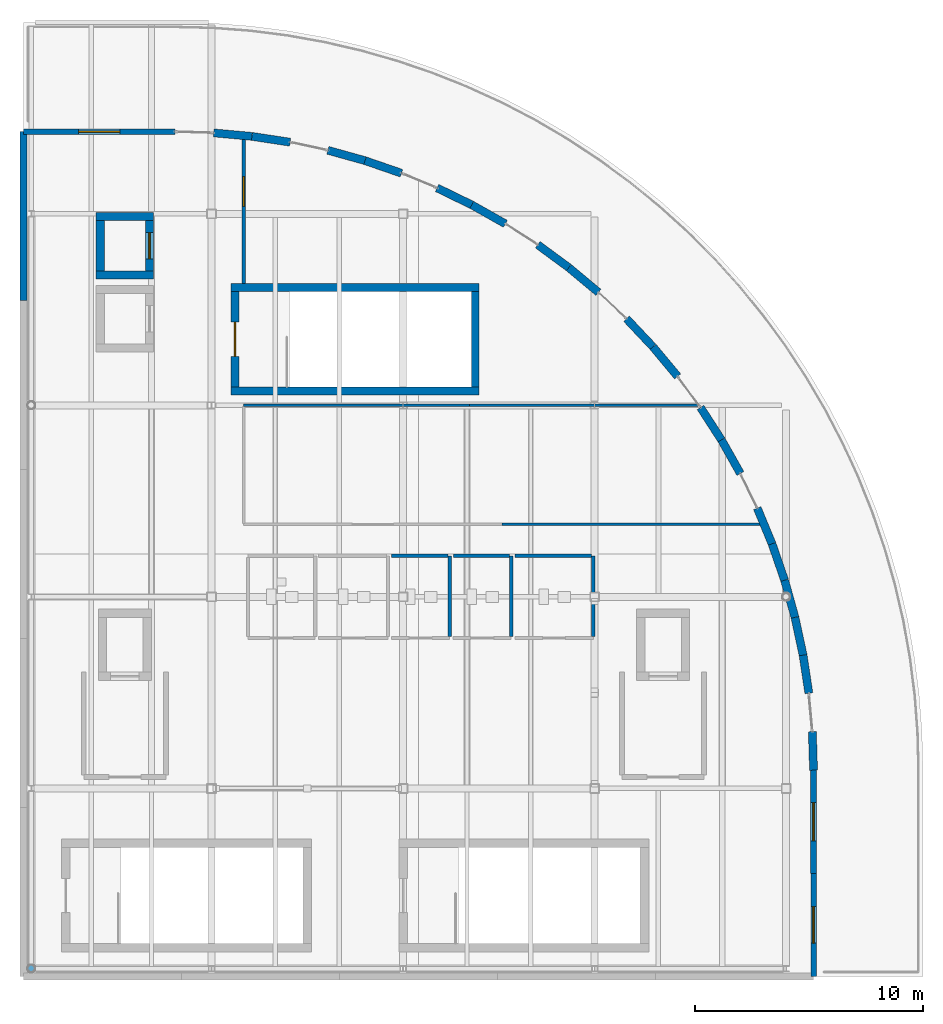
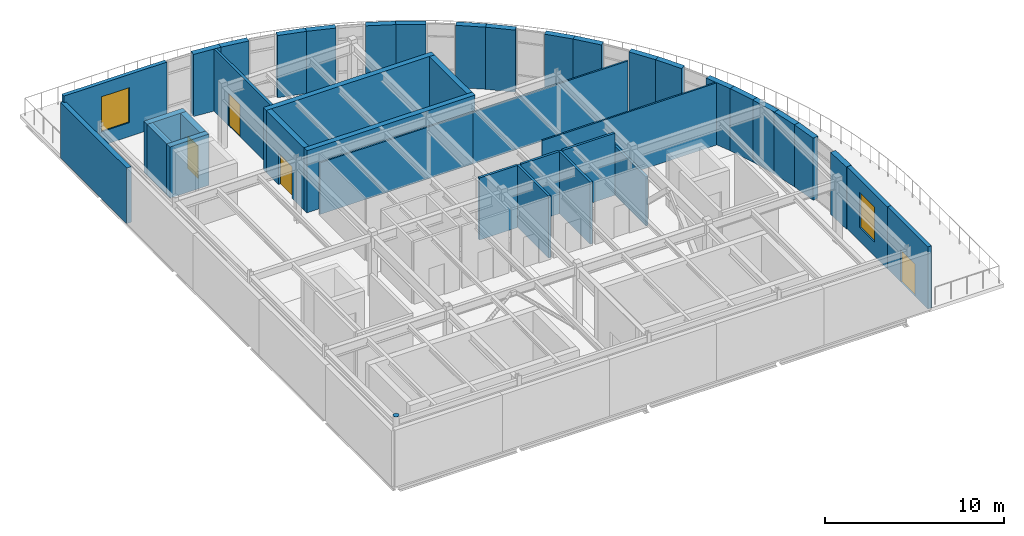
# One storey, part 19 of 26: 40 walls, 4 doors, 2 windows, 1 discrete accessory, 6 openings.
"""IFC4 building model written with IfcOpenShell, lengths in metres."""

from ifc_helpers import new_model, si_unit, direction, frame, frame_2d, origin, origin_2d, place, context, subcontext, project, spatial, rectangle, circle, extrude, material, layer, layer_set, type_object, element, fill, save


model = new_model("IFC4")

# Units and contexts
model_context = context("Model", 3, precision=1e-05, world=origin(), true_north=direction((0.0, 1.0)))
body_context = subcontext(model_context, "Body", "Model", "MODEL_VIEW")
ifc_project = project(units=[si_unit("LENGTHUNIT", "METRE"), si_unit("AREAUNIT", "SQUARE_METRE"), si_unit("VOLUMEUNIT", "CUBIC_METRE"), si_unit("PLANEANGLEUNIT", "RADIAN"), si_unit("MASSUNIT", "GRAM", prefix="KILO"), si_unit("THERMODYNAMICTEMPERATUREUNIT", "KELVIN")], contexts=[model_context])

# Site, building, storey
site_placement = place(None, origin())
site = spatial("IfcSite", under=ifc_project, at=site_placement, CompositionType="ELEMENT")
building_placement = place(site_placement, origin())
building = spatial("IfcBuilding", under=site, at=building_placement, Name="Lustrewick Department Store", CompositionType="ELEMENT")
storey_placement = place(building_placement, frame((0.0, 0.0, 36.300048828125)))
storey = spatial("IfcBuildingStorey", under=building, at=storey_placement, Name="L08", CompositionType="ELEMENT", Elevation=36.300048828125)

# Wall, opening, door
ifc_material_1 = material(Name="Precast concrete C40", Category="concrete")
ifc_layer_1 = layer(ifc_material_1, 0.239990234375, Name="Precast concrete C40")
ifc_layer_set_1 = layer_set([ifc_layer_1], Name="Precast concrete C40")
wall_type_1 = type_object("IfcWallType", Name="EW01", PredefinedType="STANDARD", material=ifc_layer_set_1)
wall_1_placement = place(storey_placement, frame((144.0, 50.550048828125, 0.0), z_axis=(0.0, 0.0, 1.0), x_axis=(0.0, 1.0, 0.0)))
wall_1 = element("IfcWall", 1, at=wall_1_placement, inside=storey, type_object=wall_type_1, Name="L08 V4 Exterior Wall EW01", PredefinedType="STANDARD", context=body_context, shape_type="SweptSolid", body=[
    extrude(rectangle(XDim=4.52490234375, YDim=0.239990234375, at=frame_2d((2.262451171875, 0.0))), origin(), (0.0, 0.0, 1.0), 4.244873046875),
])
opening_1_placement = place(wall_1_placement, frame((1.46240234375, 0.0, 0.0)))
opening_1 = element("IfcOpeningElement", 2, at=opening_1_placement, cuts=wall_1, Name="Opening D-TR09", PredefinedType="OPENING", context=body_context, shape_type="SweptSolid", body=[
    extrude(rectangle(XDim=1.60009765625, YDim=2.199951171875, at=frame_2d((0.800048828125, 1.10009765625))), frame((0.0, 0.1298828125, 0.0), z_axis=(0.0, -1.0, 0.0), x_axis=(1.0, 0.0, 0.0)), (0.0, 0.0, 1.0), 0.260009765625),
])
ifc_material_2 = material(Name="Steel fire-rated terrace exit door EI 60", Category="steel")
door_type_1 = type_object("IfcDoorType", Name="DT-03", OperationType="NOTDEFINED", PredefinedType="DOOR", material=ifc_material_2)
door_1_placement = place(opening_1_placement, frame((1.60009765625, 0.0, 0.0), z_axis=(0.0, 0.0, 1.0), x_axis=(-1.0, 0.0, 0.0)))
door_1 = element("IfcDoor", 3, at=door_1_placement, inside=storey, type_object=door_type_1, Name="L08 Terrace and Refuge Access Door D-TR09", OperationType="DOUBLE_DOOR_SINGLE_SWING", OverallHeight=2.199951171875, OverallWidth=1.60009765625, PredefinedType="DOOR", context=body_context, shape_type="SweptSolid", body=[
    extrude(rectangle(XDim=1.60009765625, YDim=2.199951171875, at=frame_2d((0.800048828125, 1.10009765625))), frame((0.0, 0.02490234375, 0.0), z_axis=(0.0, -1.0, 0.0), x_axis=(1.0, 0.0, 0.0)), (0.0, 0.0, 1.0), 0.050048828125),
])
fill(opening_1, door_1)

# Wall, opening, window
wall_2_placement = place(storey_placement, frame((116.0, 87.60009765625, 0.0), z_axis=(0.0, 0.0, 1.0), x_axis=(-1.0, 0.0, 0.0)))
wall_2 = element("IfcWall", 4, at=wall_2_placement, inside=storey, type_object=wall_type_1, Name="L08 V4 Exterior Wall EW01", PredefinedType="STANDARD", context=body_context, shape_type="SweptSolid", body=[
    extrude(rectangle(XDim=6.64990234375, YDim=0.239990234375, at=frame_2d((3.324951171875, 0.0))), origin(), (0.0, 0.0, 1.0), 4.244873046875),
])
opening_2_placement = place(wall_2_placement, frame((2.425048828125, 0.0, 0.949951171875)))
opening_2 = element("IfcOpeningElement", 5, at=opening_2_placement, cuts=wall_2, Name="Opening WN16", PredefinedType="OPENING", context=body_context, shape_type="SweptSolid", body=[
    extrude(rectangle(XDim=1.800048828125, YDim=2.39990234375, at=frame_2d((0.89990234375, 1.199951171875))), frame((0.0, 0.1298828125, 0.0), z_axis=(0.0, -1.0, 0.0), x_axis=(1.0, 0.0, 0.0)), (0.0, 0.0, 1.0), 0.260009765625),
])
ifc_material_3 = material(Name="Thermally broken Low-E triple-glazed window", Category="glass")
window_type_1 = type_object("IfcWindowType", Name="WN16", PartitioningType="DOUBLE_PANEL_VERTICAL", PredefinedType="WINDOW", material=ifc_material_3)
window_1_placement = place(opening_2_placement, origin())
window_1 = element("IfcWindow", 6, at=window_1_placement, inside=storey, type_object=window_type_1, Name="L08 Art Nouveau Window WN16", OverallHeight=2.39990234375, OverallWidth=1.800048828125, PartitioningType="SINGLE_PANEL", PredefinedType="WINDOW", context=body_context, shape_type="SweptSolid", body=[
    extrude(rectangle(XDim=1.800048828125, YDim=2.39990234375, at=frame_2d((0.89990234375, 1.199951171875))), frame((0.0, 0.030029296875, 0.0), z_axis=(0.0, -1.0, 0.0), x_axis=(1.0, 0.0, 0.0)), (0.0, 0.0, 1.0), 0.06005859375),
])
fill(opening_2, window_1)

ifc_layer_2 = layer(ifc_material_1, 0.260009765625, Name="Precast concrete C40")
ifc_layer_set_2 = layer_set([ifc_layer_2], Name="Precast concrete C40")
wall_type_2 = type_object("IfcWallType", Name="EW02", PredefinedType="STANDARD", material=ifc_layer_set_2)
wall_3_placement = place(storey_placement, frame((144.0, 55.074951171875, 0.0), z_axis=(0.0, 0.0, 1.0), x_axis=(0.0, 1.0, 0.0)))
wall_3 = element("IfcWall", 7, at=wall_3_placement, inside=storey, type_object=wall_type_2, Name="L08 V4 Exterior Wall EW02", PredefinedType="STANDARD", context=body_context, shape_type="SweptSolid", body=[
    extrude(rectangle(XDim=4.525146484375, YDim=0.260009765625, at=frame_2d((2.2626953125, 0.0))), origin(), (0.0, 0.0, 1.0), 4.244873046875),
])
opening_3_placement = place(wall_3_placement, frame((1.422607421875, 0.0, 0.949951171875)))
opening_3 = element("IfcOpeningElement", 8, at=opening_3_placement, cuts=wall_3, Name="Opening WN15", PredefinedType="OPENING", context=body_context, shape_type="SweptSolid", body=[
    extrude(rectangle(XDim=1.679931640625, YDim=2.39990234375, at=frame_2d((0.83984375, 1.199951171875))), frame((0.0, 0.14013671875, 0.0), z_axis=(0.0, -1.0, 0.0), x_axis=(1.0, 0.0, 0.0)), (0.0, 0.0, 1.0), 0.280029296875),
])
window_type_2 = type_object("IfcWindowType", Name="WN15", PartitioningType="DOUBLE_PANEL_VERTICAL", PredefinedType="WINDOW", material=ifc_material_3)
window_2_placement = place(opening_3_placement, origin())
window_2 = element("IfcWindow", 9, at=window_2_placement, inside=storey, type_object=window_type_2, Name="L08 Art Nouveau Window WN15", OverallHeight=2.39990234375, OverallWidth=1.679931640625, PartitioningType="SINGLE_PANEL", PredefinedType="WINDOW", context=body_context, shape_type="SweptSolid", body=[
    extrude(rectangle(XDim=1.679931640625, YDim=2.39990234375, at=frame_2d((0.83984375, 1.199951171875))), frame((0.0, 0.030029296875, 0.0), z_axis=(0.0, -1.0, 0.0), x_axis=(1.0, 0.0, 0.0)), (0.0, 0.0, 1.0), 0.06005859375),
])
fill(opening_3, window_2)

# Walls
ifc_layer_3 = layer(ifc_material_1, 0.300048828125, Name="Precast concrete C40")
ifc_layer_set_3 = layer_set([ifc_layer_3], Name="Precast concrete C40")
wall_type_3 = type_object("IfcWallType", Name="EW04", PredefinedType="STANDARD", material=ifc_layer_set_3)
wall_4_placement = place(storey_placement, frame((109.35009765625, 87.60009765625, 0.0), z_axis=(0.0, 0.0, 1.0), x_axis=(0.0, -1.0, 0.0)))
element("IfcWall", 10, at=wall_4_placement, inside=storey, type_object=wall_type_3, Name="L08 V4 Exterior Wall EW04", PredefinedType="STANDARD", context=body_context, shape_type="SweptSolid", body=[
    extrude(rectangle(XDim=7.41015625, YDim=0.300048828125, at=frame_2d((3.705078125, 0.0))), origin(), (0.0, 0.0, 1.0), 3.796875),
])
ifc_layer_4 = layer(ifc_material_1, 0.35009765625, Name="Precast concrete C40")
ifc_layer_set_4 = layer_set([ifc_layer_4], Name="Precast concrete C40")
wall_type_4 = type_object("IfcWallType", Name="EW06", PredefinedType="STANDARD", material=ifc_layer_set_4)
wall_5_placement = place(storey_placement, frame((144.0, 59.60009765625, 0.0), z_axis=(0.0, 0.0, 1.0), x_axis=(-0.030171122522, 0.999544748056, 0.0)))
element("IfcWall", 11, at=wall_5_placement, inside=storey, type_object=wall_type_4, Name="L08 V4 Exterior Wall EW06", PredefinedType="STANDARD", context=body_context, shape_type="SweptSolid", body=[
    extrude(rectangle(XDim=1.691162109375, YDim=0.35009765625, at=frame_2d((0.845703125, 0.0))), origin(), (0.0, 0.0, 1.0), 4.244873046875),
])
for number, where, z_axis, x_axis, name in (
    (12, (143.7958984375, 62.97509765625, 0.0), (0.0, 0.0, 1.0), (-0.150408260666, 0.988623970539, 0.0), "L08 V4 Exterior Wall EW06"),
    (13, (143.54150390625, 64.647216796875, 0.0), (0.0, 0.0, 1.0), (-0.210031827691, 0.977694549109, 0.0), "L08 V4 Exterior Wall EW06"),
    (14, (143.186279296875, 66.30078125, 0.0), (0.0, 0.0, 1.0), (-0.268462629017, 0.963290100033, 0.0), "L08 V4 Exterior Wall EW06"),
):
    element("IfcWall", number, at=place(storey_placement, frame(where, z_axis=z_axis, x_axis=x_axis)), inside=storey, type_object=wall_type_4, Name=name, PredefinedType="STANDARD", context=body_context, shape_type="SweptSolid", body=[
        extrude(rectangle(XDim=1.69140625, YDim=0.35009765625, at=frame_2d((0.845703125, 0.0))), origin(), (0.0, 0.0, 1.0), 4.244873046875),
    ])
wall_6_placement = place(storey_placement, frame((142.732177734375, 67.93017578125, 0.0), z_axis=(0.0, 0.0, 1.0), x_axis=(-0.326257609205, 0.945280896049, 0.0)))
element("IfcWall", 15, at=wall_6_placement, inside=storey, type_object=wall_type_4, Name="L08 V4 Exterior Wall EW06", PredefinedType="STANDARD", context=body_context, shape_type="SweptSolid", body=[
    extrude(rectangle(XDim=1.691162109375, YDim=0.35009765625, at=frame_2d((0.845703125, 0.0))), origin(), (0.0, 0.0, 1.0), 4.244873046875),
])
wall_7_placement = place(storey_placement, frame((142.180419921875, 69.52880859375, 0.0), z_axis=(0.0, 0.0, 1.0), x_axis=(-0.382636491463, 0.923898974672, 0.0)))
element("IfcWall", 16, at=wall_7_placement, inside=storey, type_object=wall_type_4, Name="L08 V4 Exterior Wall EW06", PredefinedType="STANDARD", context=body_context, shape_type="SweptSolid", body=[
    extrude(rectangle(XDim=1.69140625, YDim=0.35009765625, at=frame_2d((0.845703125, 0.0))), origin(), (0.0, 0.0, 1.0), 4.244873046875),
])
wall_8_placement = place(storey_placement, frame((140.792724609375, 72.6123046875, 0.0), z_axis=(0.0, 0.0, 1.0), x_axis=(-0.491234140543, 0.8710275651, 0.0)))
element("IfcWall", 17, at=wall_8_placement, inside=storey, type_object=wall_type_4, Name="L08 V4 Exterior Wall EW06", PredefinedType="STANDARD", context=body_context, shape_type="SweptSolid", body=[
    extrude(rectangle(XDim=1.691162109375, YDim=0.35009765625, at=frame_2d((0.845703125, 0.0))), origin(), (0.0, 0.0, 1.0), 4.244873046875),
])
for number, where, z_axis, x_axis, name in (
    (18, (139.9619140625, 74.08544921875, 0.0), (0.0, 0.0, 1.0), (-0.542987928237, 0.839740501458, 0.0), "L08 V4 Exterior Wall EW06"),
    (19, (138.041015625, 76.8681640625, 0.0), (0.0, 0.0, 1.0), (-0.640184399664, 0.768221279597, 0.0), "L08 V4 Exterior Wall EW06"),
):
    element("IfcWall", number, at=place(storey_placement, frame(where, z_axis=z_axis, x_axis=x_axis)), inside=storey, type_object=wall_type_4, Name=name, PredefinedType="STANDARD", context=body_context, shape_type="SweptSolid", body=[
        extrude(rectangle(XDim=1.69140625, YDim=0.35009765625, at=frame_2d((0.845703125, 0.0))), origin(), (0.0, 0.0, 1.0), 4.244873046875),
    ])
wall_9_placement = place(storey_placement, frame((136.958251953125, 78.16748046875, 0.0), z_axis=(0.0, 0.0, 1.0), x_axis=(-0.685418732587, 0.728149133776, 0.0)))
element("IfcWall", 20, at=wall_9_placement, inside=storey, type_object=wall_type_4, Name="L08 V4 Exterior Wall EW06", PredefinedType="STANDARD", context=body_context, shape_type="SweptSolid", body=[
    extrude(rectangle(XDim=1.691162109375, YDim=0.35009765625, at=frame_2d((0.845703125, 0.0))), origin(), (0.0, 0.0, 1.0), 4.244873046875),
])
for number, where, z_axis, x_axis, name in (
    (21, (134.5673828125, 80.558349609375, 0.0), (0.0, 0.0, 1.0), (-0.768221279597, 0.640184399664, 0.0), "L08 V4 Exterior Wall EW06"),
    (22, (133.26806640625, 81.64111328125, 0.0), (0.0, 0.0, 1.0), (-0.805440240323, 0.592676994044, 0.0), "L08 V4 Exterior Wall EW06"),
    (23, (130.485595703125, 83.56201171875, 0.0), (0.0, 0.0, 1.0), (-0.871062392558, 0.491172381421, 0.0), "L08 V4 Exterior Wall EW06"),
):
    element("IfcWall", number, at=place(storey_placement, frame(where, z_axis=z_axis, x_axis=x_axis)), inside=storey, type_object=wall_type_4, Name=name, PredefinedType="STANDARD", context=body_context, shape_type="SweptSolid", body=[
        extrude(rectangle(XDim=1.69140625, YDim=0.35009765625, at=frame_2d((0.845703125, 0.0))), origin(), (0.0, 0.0, 1.0), 4.244873046875),
    ])
wall_10_placement = place(storey_placement, frame((129.01220703125, 84.392822265625, 0.0), z_axis=(0.0, 0.0, 1.0), x_axis=(-0.899055440715, 0.437834802776, 0.0)))
element("IfcWall", 24, at=wall_10_placement, inside=storey, type_object=wall_type_4, Name="L08 V4 Exterior Wall EW06", PredefinedType="STANDARD", context=body_context, shape_type="SweptSolid", body=[
    extrude(rectangle(XDim=1.691162109375, YDim=0.35009765625, at=frame_2d((0.845703125, 0.0))), origin(), (0.0, 0.0, 1.0), 4.244873046875),
])
for number, where, z_axis, x_axis, name in (
    (25, (125.928955078125, 85.780517578125, 0.0), (0.0, 0.0, 1.0), (-0.945296259353, 0.326213093012, 0.0), "L08 V4 Exterior Wall EW06"),
    (26, (124.330078125, 86.332275390625, 0.0), (0.0, 0.0, 1.0), (-0.963290100033, 0.268462629017, 0.0), "L08 V4 Exterior Wall EW06"),
    (27, (121.047119140625, 87.141357421875, 0.0), (0.0, 0.0, 1.0), (-0.988623970539, 0.150408260666, 0.0), "L08 V4 Exterior Wall EW06"),
):
    element("IfcWall", number, at=place(storey_placement, frame(where, z_axis=z_axis, x_axis=x_axis)), inside=storey, type_object=wall_type_4, Name=name, PredefinedType="STANDARD", context=body_context, shape_type="SweptSolid", body=[
        extrude(rectangle(XDim=1.69140625, YDim=0.35009765625, at=frame_2d((0.845703125, 0.0))), origin(), (0.0, 0.0, 1.0), 4.244873046875),
    ])
wall_11_placement = place(storey_placement, frame((119.375, 87.395751953125, 0.0), z_axis=(0.0, 0.0, 1.0), x_axis=(-0.99589557258, 0.090509715032, 0.0)))
element("IfcWall", 28, at=wall_11_placement, inside=storey, type_object=wall_type_4, Name="L08 V4 Exterior Wall EW06", PredefinedType="STANDARD", context=body_context, shape_type="SweptSolid", body=[
    extrude(rectangle(XDim=1.691162109375, YDim=0.35009765625, at=frame_2d((0.845703125, 0.0))), origin(), (0.0, 0.0, 1.0), 4.244873046875),
])

# Wall, opening, door
ifc_material_4 = material(Name="Double-stud gypsum fire board with mineral wool", Category="gypsum")
ifc_layer_5 = layer(ifc_material_4, 0.1650390625, Name="Double-stud gypsum fire board with mineral wool")
ifc_layer_set_5 = layer_set([ifc_layer_5], Name="Double-stud gypsum fire board with mineral wool")
wall_type_5 = type_object("IfcWallType", Name="PW04", PredefinedType="PARTITIONING", material=ifc_layer_set_5)
wall_12_placement = place(storey_placement, frame((119.010009765625, 87.25830078125, 0.0), z_axis=(0.0, 0.0, 1.0), x_axis=(0.0, -1.0, 0.0)))
wall_12 = element("IfcWall", 29, at=wall_12_placement, inside=storey, type_object=wall_type_5, Name="L08 Commercial Restaurant Kitchen PW04", PredefinedType="PARTITIONING", context=body_context, shape_type="SweptSolid", body=[
    extrude(rectangle(XDim=6.3232421875, YDim=0.1650390625, at=frame_2d((3.16162109375, 0.0))), origin(), (0.0, 0.0, 1.0), 4.244873046875),
])
opening_4_placement = place(wall_12_placement, frame((1.62646484375, 0.0, 0.0)))
opening_4 = element("IfcOpeningElement", 30, at=opening_4_placement, cuts=wall_12, Name="Opening D-L08-049", PredefinedType="OPENING", context=body_context, shape_type="SweptSolid", body=[
    extrude(rectangle(XDim=1.300048828125, YDim=2.199951171875, at=frame_2d((0.64990234375, 1.10009765625))), frame((0.0, 0.092529296875, 0.0), z_axis=(0.0, -1.0, 0.0), x_axis=(1.0, 0.0, 0.0)), (0.0, 0.0, 1.0), 0.18505859375),
])
ifc_material_5 = material(Name="Steel fire door Class A EI 90", Category="steel")
door_type_2 = type_object("IfcDoorType", Name="DT-13", OperationType="NOTDEFINED", PredefinedType="DOOR", material=ifc_material_5)
door_2_placement = place(opening_4_placement, origin())
door_2 = element("IfcDoor", 31, at=door_2_placement, inside=storey, type_object=door_type_2, Name="L08 Commercial Restaurant Kitchen Door D-L08-049", OperationType="SINGLE_SWING_RIGHT", OverallHeight=2.199951171875, OverallWidth=1.300048828125, PredefinedType="DOOR", context=body_context, shape_type="SweptSolid", body=[
    extrude(rectangle(XDim=1.300048828125, YDim=2.199951171875, at=frame_2d((0.64990234375, 1.10009765625))), frame((0.0, 0.02490234375, 0.0), z_axis=(0.0, -1.0, 0.0), x_axis=(1.0, 0.0, 0.0)), (0.0, 0.0, 1.0), 0.050048828125),
])
fill(opening_4, door_2)

# Walls
ifc_material_6 = material(Name="Moisture-resistant cement board sanitary partition", Category="gypsum")
ifc_layer_6 = layer(ifc_material_6, 0.14990234375, Name="Moisture-resistant cement board sanitary partition")
ifc_layer_set_6 = layer_set([ifc_layer_6], Name="Moisture-resistant cement board sanitary partition")
wall_type_6 = type_object("IfcWallType", Name="PW05", PredefinedType="PARTITIONING", material=ifc_layer_set_6)
wall_13_placement = place(storey_placement, frame((128.0400390625, 65.469970703125, 0.0), z_axis=(0.0, 0.0, 1.0), x_axis=(0.0, 1.0, 0.0)))
element("IfcWall", 32, at=wall_13_placement, inside=storey, type_object=wall_type_6, Name="L08 Accessible WC PW05", PredefinedType="PARTITIONING", context=body_context, shape_type="SweptSolid", body=[
    extrude(rectangle(XDim=3.530029296875, YDim=0.14990234375, at=frame_2d((1.76513671875, 0.0))), origin(), (0.0, 0.0, 1.0), 4.244873046875),
])
wall_14_placement = place(storey_placement, frame((127.969970703125, 69.0, 0.0), z_axis=(0.0, 0.0, 1.0), x_axis=(-1.0, 0.0, 0.0)))
element("IfcWall", 33, at=wall_14_placement, inside=storey, type_object=wall_type_6, Name="L08 Accessible WC PW05", PredefinedType="PARTITIONING", context=body_context, shape_type="SweptSolid", body=[
    extrude(rectangle(XDim=2.469970703125, YDim=0.14990234375, at=frame_2d((1.23486328125, 0.0))), origin(), (0.0, 0.0, 1.0), 4.244873046875),
])
wall_15_placement = place(storey_placement, frame((130.739990234375, 65.469970703125, 0.0), z_axis=(0.0, 0.0, 1.0), x_axis=(0.0, 1.0, 0.0)))
element("IfcWall", 34, at=wall_15_placement, inside=storey, type_object=wall_type_6, Name="L08 Staff WC PW05", PredefinedType="PARTITIONING", context=body_context, shape_type="SweptSolid", body=[
    extrude(rectangle(XDim=3.530029296875, YDim=0.14990234375, at=frame_2d((1.76513671875, 0.0))), origin(), (0.0, 0.0, 1.0), 4.244873046875),
])
wall_16_placement = place(storey_placement, frame((130.669921875, 69.0, 0.0), z_axis=(0.0, 0.0, 1.0), x_axis=(-1.0, 0.0, 0.0)))
element("IfcWall", 35, at=wall_16_placement, inside=storey, type_object=wall_type_6, Name="L08 Staff WC PW05", PredefinedType="PARTITIONING", context=body_context, shape_type="SweptSolid", body=[
    extrude(rectangle(XDim=2.469970703125, YDim=0.14990234375, at=frame_2d((1.23486328125, 0.0))), origin(), (0.0, 0.0, 1.0), 4.244873046875),
])
wall_17_placement = place(storey_placement, frame((134.340087890625, 65.469970703125, 0.0), z_axis=(0.0, 0.0, 1.0), x_axis=(0.0, 1.0, 0.0)))
element("IfcWall", 36, at=wall_17_placement, inside=storey, type_object=wall_type_6, Name="L08 Nursery Room PW05", PredefinedType="PARTITIONING", context=body_context, shape_type="SweptSolid", body=[
    extrude(rectangle(XDim=3.530029296875, YDim=0.14990234375, at=frame_2d((1.76513671875, 0.0))), origin(), (0.0, 0.0, 1.0), 3.346923828125),
])
wall_18_placement = place(storey_placement, frame((134.27001953125, 69.0, 0.0), z_axis=(0.0, 0.0, 1.0), x_axis=(-1.0, 0.0, 0.0)))
element("IfcWall", 37, at=wall_18_placement, inside=storey, type_object=wall_type_6, Name="L08 Nursery Room PW05", PredefinedType="PARTITIONING", context=body_context, shape_type="SweptSolid", body=[
    extrude(rectangle(XDim=3.3701171875, YDim=0.14990234375, at=frame_2d((1.68505859375, 0.0))), origin(), (0.0, 0.0, 1.0), 4.244873046875),
])
ifc_material_7 = material(Name="Lightweight demountable studio partition", Category="gypsum")
ifc_layer_7 = layer(ifc_material_7, 0.10498046875, Name="Lightweight demountable studio partition")
ifc_layer_set_7 = layer_set([ifc_layer_7], Name="Lightweight demountable studio partition")
wall_type_7 = type_object("IfcWallType", Name="PW08", PredefinedType="PARTITIONING", material=ifc_layer_set_7)
wall_19_placement = place(storey_placement, frame((130.343505859375, 70.37841796875, 0.0), z_axis=(0.0, 0.0, 1.0), x_axis=(1.0, 0.0, 0.0)))
element("IfcWall", 38, at=wall_19_placement, inside=storey, type_object=wall_type_7, Name="L08 Panoramic Dining Restaurant PW08", PredefinedType="PARTITIONING", context=body_context, shape_type="SweptSolid", body=[
    extrude(rectangle(XDim=11.301025390625, YDim=0.10498046875, at=frame_2d((5.650390625, 0.0))), origin(), (0.0, 0.0, 1.0), 4.244873046875),
])
wall_20_placement = place(storey_placement, frame((138.943603515625, 75.60791015625, 0.0), z_axis=(0.0, 0.0, 1.0), x_axis=(-1.0, 0.0, 0.0)))
element("IfcWall", 39, at=wall_20_placement, inside=storey, type_object=wall_type_7, Name="L08 Panoramic Dining Restaurant PW08", PredefinedType="PARTITIONING", context=body_context, shape_type="SweptSolid", body=[
    extrude(rectangle(XDim=10.041259765625, YDim=0.10498046875, at=frame_2d((5.0205078125, 0.0))), origin(), (0.0, 0.0, 1.0), 3.529052734375),
])
wall_21_placement = place(storey_placement, frame((128.90234375, 75.60791015625, 0.0), z_axis=(0.0, 0.0, 1.0), x_axis=(-1.0, 0.0, 0.0)))
element("IfcWall", 40, at=wall_21_placement, inside=storey, type_object=wall_type_7, Name="L08 Panoramic Dining Restaurant PW08", PredefinedType="PARTITIONING", context=body_context, shape_type="SweptSolid", body=[
    extrude(rectangle(XDim=9.892333984375, YDim=0.10498046875, at=frame_2d((4.9462890625, 0.0))), origin(), (0.0, 0.0, 1.0), 3.529052734375),
])
ifc_material_8 = material(Name="Concrete C40", Category="concrete")
ifc_layer_8 = layer(ifc_material_8, 0.360107421875, Name="Concrete C40")
ifc_layer_set_8 = layer_set([ifc_layer_8], Name="Concrete C40")
wall_type_8 = type_object("IfcWallType", Name="SW04", PredefinedType="SHEAR", material=ifc_layer_set_8)
wall_22_placement = place(storey_placement, frame((112.5400390625, 81.320068359375, 0.0), z_axis=(0.0, 0.0, 1.0), x_axis=(1.0, 0.0, 0.0)))
element("IfcWall", 41, at=wall_22_placement, inside=storey, type_object=wall_type_8, Name="L08 Lift PL-08 Shaft Wall -Y", PredefinedType="SHEAR", context=body_context, shape_type="SweptSolid", body=[
    extrude(rectangle(XDim=2.52001953125, YDim=0.360107421875, at=frame_2d((1.260009765625, 0.0))), origin(), (0.0, 0.0, 1.0), 3.494873046875),
])

# Wall, opening, door
wall_23_placement = place(storey_placement, frame((114.8798828125, 81.5, 0.0), z_axis=(0.0, 0.0, 1.0), x_axis=(0.0, 1.0, 0.0)))
wall_23 = element("IfcWall", 42, at=wall_23_placement, inside=storey, type_object=wall_type_8, Name="L08 Lift PL-08 Shaft Wall +X", PredefinedType="SHEAR", context=body_context, shape_type="SweptSolid", body=[
    extrude(rectangle(XDim=2.199951171875, YDim=0.360107421875, at=frame_2d((1.10009765625, 0.0))), origin(), (0.0, 0.0, 1.0), 3.494873046875),
])
opening_5_placement = place(wall_23_placement, frame((0.52490234375, 0.0, 0.0)))
opening_5 = element("IfcOpeningElement", 43, at=opening_5_placement, cuts=wall_23, Name="Opening LD-L08-04", PredefinedType="OPENING", context=body_context, shape_type="SweptSolid", body=[
    extrude(rectangle(XDim=1.14990234375, YDim=2.199951171875, at=frame_2d((0.574951171875, 1.10009765625))), frame((0.0, 0.18994140625, 0.0), z_axis=(0.0, -1.0, 0.0), x_axis=(1.0, 0.0, 0.0)), (0.0, 0.0, 1.0), 0.380126953125),
])
ifc_material_9 = material(Name="Brushed bronze passenger lift landing door EI 60", Category="steel")
door_type_3 = type_object("IfcDoorType", Name="DT-16", OperationType="NOTDEFINED", PredefinedType="DOOR", material=ifc_material_9)
door_3_placement = place(opening_5_placement, frame((1.14990234375, 0.0, 0.0), z_axis=(0.0, 0.0, 1.0), x_axis=(-1.0, 0.0, 0.0)))
door_3 = element("IfcDoor", 44, at=door_3_placement, inside=storey, type_object=door_type_3, Name="L08 Lift PL-08 Sliding Landing Door LD-L08-04", OperationType="DOUBLE_DOOR_SLIDING", OverallHeight=2.199951171875, OverallWidth=1.14990234375, PredefinedType="DOOR", context=body_context, shape_type="SweptSolid", body=[
    extrude(rectangle(XDim=1.14990234375, YDim=2.199951171875, at=frame_2d((0.574951171875, 1.10009765625))), frame((0.0, 0.02490234375, 0.0), z_axis=(0.0, -1.0, 0.0), x_axis=(1.0, 0.0, 0.0)), (0.0, 0.0, 1.0), 0.050048828125),
])
fill(opening_5, door_3)

# Walls
wall_24_placement = place(storey_placement, frame((115.06005859375, 83.8798828125, 0.0), z_axis=(0.0, 0.0, 1.0), x_axis=(-1.0, 0.0, 0.0)))
element("IfcWall", 45, at=wall_24_placement, inside=storey, type_object=wall_type_8, Name="L08 Lift PL-08 Shaft Wall +Y", PredefinedType="SHEAR", context=body_context, shape_type="SweptSolid", body=[
    extrude(rectangle(XDim=2.52001953125, YDim=0.360107421875, at=frame_2d((1.260009765625, 0.0))), origin(), (0.0, 0.0, 1.0), 3.494873046875),
])
wall_25_placement = place(storey_placement, frame((112.719970703125, 83.699951171875, 0.0), z_axis=(0.0, 0.0, 1.0), x_axis=(0.0, -1.0, 0.0)))
element("IfcWall", 46, at=wall_25_placement, inside=storey, type_object=wall_type_8, Name="L08 Lift PL-08 Shaft Wall -X", PredefinedType="SHEAR", context=body_context, shape_type="SweptSolid", body=[
    extrude(rectangle(XDim=2.199951171875, YDim=0.360107421875, at=frame_2d((1.10009765625, 0.0))), origin(), (0.0, 0.0, 1.0), 3.494873046875),
])
ifc_layer_9 = layer(ifc_material_8, 0.340087890625, Name="Concrete C40")
ifc_layer_set_9 = layer_set([ifc_layer_9], Name="Concrete C40")
wall_type_9 = type_object("IfcWallType", Name="SW05", PredefinedType="SHEAR", material=ifc_layer_set_9)
wall_26_placement = place(storey_placement, frame((118.4599609375, 76.22998046875, 0.0), z_axis=(0.0, 0.0, 1.0), x_axis=(1.0, 0.0, 0.0)))
element("IfcWall", 47, at=wall_26_placement, inside=storey, type_object=wall_type_9, Name="L08 Stair Core ST10 Shear Wall S", PredefinedType="SHEAR", context=body_context, shape_type="SweptSolid", body=[
    extrude(rectangle(XDim=10.880126953125, YDim=0.340087890625, at=frame_2d((5.43994140625, 0.0))), origin(), (0.0, 0.0, 1.0), 4.244873046875),
])
wall_27_placement = place(storey_placement, frame((129.169921875, 76.39990234375, 0.0), z_axis=(0.0, 0.0, 1.0), x_axis=(0.0, 1.0, 0.0)))
element("IfcWall", 48, at=wall_27_placement, inside=storey, type_object=wall_type_9, Name="L08 Stair Core ST10 Shear Wall E", PredefinedType="SHEAR", context=body_context, shape_type="SweptSolid", body=[
    extrude(rectangle(XDim=4.2001953125, YDim=0.340087890625, at=frame_2d((2.10009765625, 0.0))), origin(), (0.0, 0.0, 1.0), 4.244873046875),
])
wall_28_placement = place(storey_placement, frame((129.340087890625, 80.77001953125, 0.0), z_axis=(0.0, 0.0, 1.0), x_axis=(-1.0, 0.0, 0.0)))
element("IfcWall", 49, at=wall_28_placement, inside=storey, type_object=wall_type_9, Name="L08 Stair Core ST10 Shear Wall N", PredefinedType="SHEAR", context=body_context, shape_type="SweptSolid", body=[
    extrude(rectangle(XDim=10.880126953125, YDim=0.340087890625, at=frame_2d((5.43994140625, 0.0))), origin(), (0.0, 0.0, 1.0), 4.244873046875),
])

# Wall, opening, door
wall_29_placement = place(storey_placement, frame((118.6298828125, 80.60009765625, 0.0), z_axis=(0.0, 0.0, 1.0), x_axis=(0.0, -1.0, 0.0)))
wall_29 = element("IfcWall", 50, at=wall_29_placement, inside=storey, type_object=wall_type_9, Name="L08 Stair Core ST10 Shear Wall W", PredefinedType="SHEAR", context=body_context, shape_type="SweptSolid", body=[
    extrude(rectangle(XDim=4.2001953125, YDim=0.340087890625, at=frame_2d((2.10009765625, 0.0))), origin(), (0.0, 0.0, 1.0), 4.244873046875),
])
opening_6_placement = place(wall_29_placement, frame((1.35009765625, 0.0, 0.0)))
opening_6 = element("IfcOpeningElement", 51, at=opening_6_placement, cuts=wall_29, Name="Opening D-L08-002", PredefinedType="OPENING", context=body_context, shape_type="SweptSolid", body=[
    extrude(rectangle(XDim=1.5, YDim=2.14990234375, at=frame_2d((0.75, 1.074951171875))), frame((0.0, 0.18017578125, 0.0), z_axis=(0.0, -1.0, 0.0), x_axis=(1.0, 0.0, 0.0)), (0.0, 0.0, 1.0), 0.360107421875),
])
ifc_material_10 = material(Name="Steel fire door Class B EI 60", Category="steel")
door_type_4 = type_object("IfcDoorType", Name="DT-07", OperationType="NOTDEFINED", PredefinedType="DOOR", material=ifc_material_10)
door_4_placement = place(opening_6_placement, origin())
door_4 = element("IfcDoor", 52, at=door_4_placement, inside=storey, type_object=door_type_4, Name="L08 Smoke-Proof Stair ST10 Fire Door", OperationType="SINGLE_SWING_LEFT", OverallHeight=2.14990234375, OverallWidth=1.5, PredefinedType="DOOR", context=body_context, shape_type="SweptSolid", body=[
    extrude(rectangle(XDim=1.5, YDim=2.14990234375, at=frame_2d((0.75, 1.074951171875))), frame((0.0, 0.02490234375, 0.0), z_axis=(0.0, -1.0, 0.0), x_axis=(1.0, 0.0, 0.0)), (0.0, 0.0, 1.0), 0.050048828125),
])
fill(opening_6, door_4)

# Discrete accessory
ifc_material_11 = material(Name="Structural steel Q355C", Category="steel")
discrete_accessory_type = type_object("IfcDiscreteAccessoryType", Name="ECP-01", PredefinedType="USERDEFINED", material=ifc_material_11)
discrete_accessory_placement = place(storey_placement, frame((109.699951171875, 50.89990234375, 4.493896484375), z_axis=(0.0, 0.0, 1.0), x_axis=(1.0, 0.0, 0.0)))
element("IfcDiscreteAccessory", 53, at=discrete_accessory_placement, inside=storey, type_object=discrete_accessory_type, Name="L08 Welded Hollow-Section End-Cap Plate ECP-01", ObjectType="END_CAP_PLATE", PredefinedType="USERDEFINED", context=body_context, shape_type="SweptSolid", body=[
    extrude(circle(Radius=0.177978515625, at=origin_2d()), origin(), (0.0, 0.0, 1.0), 0.01611328125),
])

save(model, "model.ifc")
